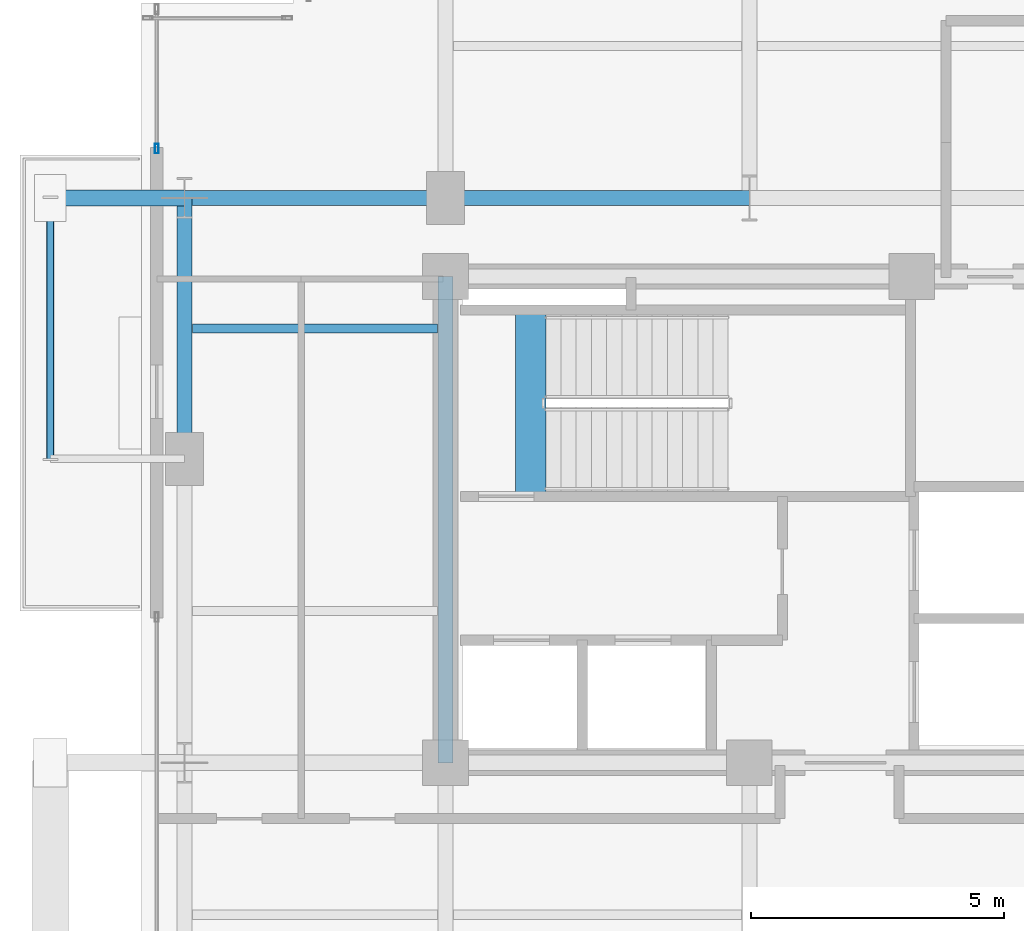
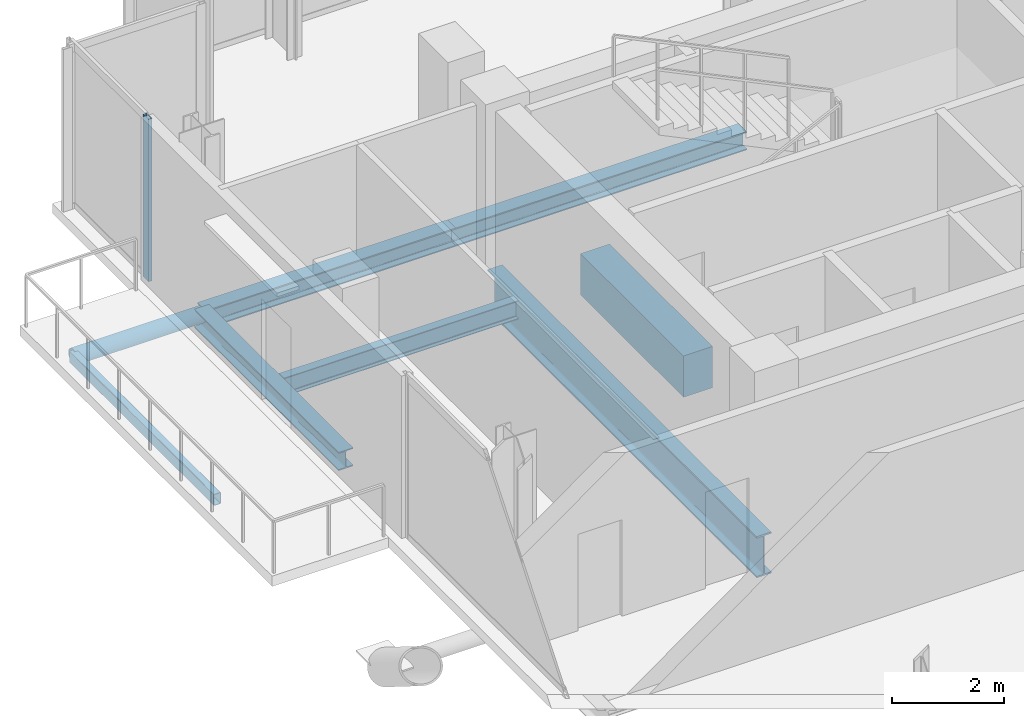
# One storey, part 8 of 25: 7 beams, 2 members, 1 element without a shape of its own.
"""IFC4 building model written with IfcOpenShell, lengths in metres."""

from ifc_helpers import new_model, si_unit, direction, frame, origin, origin_2d, place, context, subcontext, project, spatial, rectangle, hollow_rectangle, hollow_circle, i_section, extrude, material, layer, layer_set, material_profile, profile_set, type_object, element, aggregate, save


model = new_model("IFC4")

# Units and contexts
model_context = context("Model", 3, precision=1e-05, world=origin(), true_north=direction((0.0, 1.0)))
body_context = subcontext(model_context, "Body", "Model", "MODEL_VIEW")
ifc_project = project(units=[si_unit("LENGTHUNIT", "METRE"), si_unit("AREAUNIT", "SQUARE_METRE"), si_unit("VOLUMEUNIT", "CUBIC_METRE"), si_unit("PLANEANGLEUNIT", "RADIAN"), si_unit("MASSUNIT", "GRAM", prefix="KILO"), si_unit("THERMODYNAMICTEMPERATUREUNIT", "KELVIN"), si_unit("POWERUNIT", "WATT")], contexts=[model_context])

# Site, building, storey
site_placement = place(None, origin())
site = spatial("IfcSite", under=ifc_project, at=site_placement, CompositionType="ELEMENT")
building_placement = place(site_placement, origin())
building = spatial("IfcBuilding", under=site, at=building_placement, Name="Svarakhadi Broadcast Tower", CompositionType="ELEMENT")
storey_placement = place(building_placement, frame((0.0, 0.0, 212.39990234375)))
storey = spatial("IfcBuildingStorey", under=building, at=storey_placement, Name="L52", CompositionType="ELEMENT", Elevation=212.39990234375)

# Beam
ifc_material_1 = material(Name="Steel S355J2 (IS 2062 E350C)", Category="steel")
ifc_material_profile_1 = material_profile(ifc_material_1, i_section(OverallWidth=0.179931640625, OverallDepth=0.39990234375, WebThickness=0.008544921875, FlangeThickness=0.013427734375, FilletRadius=0.02099609375, at=origin_2d()), Name="NPB 400x180x66")
ifc_profile_set_1 = profile_set([ifc_material_profile_1], Name="Steel S355J2 (IS 2062 E350C)")
beam_type_1 = type_object("IfcBeamType", Name="Beam_NPB400", PredefinedType="BEAM", material=ifc_profile_set_1)
beam_1_placement = place(storey_placement, frame((1.010009765625, 26.574951171875, -0.409912109375), z_axis=(1.0, 0.0, 0.0), x_axis=(0.0, 1.0, 0.0)))
element("IfcBeam", 1, at=beam_1_placement, inside=storey, type_object=beam_type_1, Name="L52 Secondary Composite Beam SB004", PredefinedType="BEAM", context=body_context, shape_type="SweptSolid", body=[
    extrude(i_section(OverallWidth=0.179931640625, OverallDepth=0.39990234375, WebThickness=0.008544921875, FlangeThickness=0.013427734375, FilletRadius=0.02099609375, at=origin_2d()), origin(), (0.0, 0.0, 1.0), 4.830078125),
])

# Curtain wall, member
ifc_material_2 = material(Name="Anodised Bronze Aluminium AA 6063-T6", Category="aluminium")
ifc_layer = layer(ifc_material_2, 0.18994140625)
ifc_layer_set = layer_set([ifc_layer], Name="Anodised Bronze Aluminium AA 6063-T6")
curtain_wall_type = type_object("IfcCurtainWallType", Name="CW_Sys_04", PredefinedType="NOTDEFINED", material=ifc_layer_set)
curtain_wall_placement = place(storey_placement, origin())
curtain_wall = element("IfcCurtainWall", 2, at=curtain_wall_placement, inside=storey, type_object=curtain_wall_type, Name="L52 West Curtain Wall 03", PredefinedType="NOTDEFINED")
ifc_material_profile_2 = material_profile(ifc_material_2, hollow_rectangle(XDim=0.070068359375, YDim=0.18994140625, WallThickness=0.005615234375, at=origin_2d()), Name="ALU MULLION 190x70x6")
ifc_profile_set_2 = profile_set([ifc_material_profile_2], Name="Anodised Bronze Aluminium AA 6063-T6")
member_type_1 = type_object("IfcMemberType", Name="CW_Sys_04_Mul", PredefinedType="MULLION", material=ifc_profile_set_2)
member_1_placement = place(storey_placement, frame((0.300048828125, 30.125, 0.0), z_axis=(0.0, 0.0, 1.0), x_axis=(-1.0, 0.0, 0.0)))
member_1 = element("IfcMember", 3, at=member_1_placement, type_object=member_type_1, Name="CW-04 mullion 1", PredefinedType="MULLION", context=body_context, shape_type="SweptSolid", body=[
    extrude(hollow_rectangle(XDim=0.070068359375, YDim=0.18994140625, WallThickness=0.005615234375, at=origin_2d()), origin(), (0.0, 0.0, 1.0), 3.5400390625),
])
aggregate(curtain_wall, [member_1])

# Beam
ifc_material_3 = material(Name="Concrete C50/60 (IS 456 M60)", Category="concrete")
ifc_material_profile_3 = material_profile(ifc_material_3, rectangle(XDim=0.60009765625, YDim=0.89990234375, at=origin_2d()), Name="RC 600x900")
ifc_profile_set_3 = profile_set([ifc_material_profile_3], Name="Concrete C50/60 (IS 456 M60)")
beam_type_2 = type_object("IfcBeamType", Name="Coupling_RC600", PredefinedType="USERDEFINED", material=ifc_profile_set_3)
beam_2_placement = place(storey_placement, frame((7.679931640625, 23.260009765625, -0.449951171875), z_axis=(0.0, 1.0, 0.0), x_axis=(-1.0, 0.0, 0.0)))
element("IfcBeam", 4, at=beam_2_placement, inside=storey, type_object=beam_type_2, Name="L52 Stair ST-01 Landing Throat Trimmer Beam CB-01", ObjectType="GIRDER", PredefinedType="USERDEFINED", context=body_context, shape_type="SweptSolid", body=[
    extrude(rectangle(XDim=0.60009765625, YDim=0.89990234375, at=origin_2d()), origin(), (0.0, 0.0, 1.0), 3.679931640625),
])

# Member
ifc_material_4 = material(Name="Steel S460ML (IS 2062 E450BR)", Category="steel")
ifc_material_profile_4 = material_profile(ifc_material_4, hollow_circle(Radius=0.161865234375, WallThickness=0.01611328125, at=origin_2d()), Name="CHS 323.9x16")
ifc_profile_set_4 = profile_set([ifc_material_profile_4], Name="Steel S460ML (IS 2062 E450BR)")
member_type_2 = type_object("IfcMemberType", Name="Exo_Radial_Strut_Z2", PredefinedType="STRUT", material=ifc_profile_set_4)
member_2_placement = place(storey_placement, frame((-1.800048828125, 29.14990234375, -0.371826171875), z_axis=(1.0, 0.0, 0.0), x_axis=(0.0, 1.0, 0.0)))
element("IfcMember", 5, at=member_2_placement, inside=storey, type_object=member_type_2, Name="L52 Exoskeleton Radial Tie Strut W06", PredefinedType="STRUT", context=body_context, shape_type="SweptSolid", body=[
    extrude(hollow_circle(Radius=0.161865234375, WallThickness=0.01611328125, at=origin_2d()), origin(), (0.0, 0.0, 1.0), 2.650146484375),
])

# Beams
ifc_material_profile_5 = material_profile(ifc_material_1, i_section(OverallWidth=0.300048828125, OverallDepth=0.39990234375, WebThickness=0.013427734375, FlangeThickness=0.02392578125, FilletRadius=0.027099609375, at=origin_2d()), Name="WPB 400x300x155")
ifc_profile_set_5 = profile_set([ifc_material_profile_5], Name="Steel S355J2 (IS 2062 E350C)")
beam_type_3 = type_object("IfcBeamType", Name="Girder_WPB400", PredefinedType="USERDEFINED", material=ifc_profile_set_5)
beam_3_placement = place(storey_placement, frame((0.85009765625, 29.14990234375, -0.409912109375), z_axis=(1.0, 0.0, 0.0), x_axis=(0.0, 1.0, 0.0)))
element("IfcBeam", 6, at=beam_3_placement, inside=storey, type_object=beam_type_3, Name="L52 Primary E-W Girder G028", ObjectType="GIRDER", PredefinedType="USERDEFINED", context=body_context, shape_type="SweptSolid", body=[
    extrude(i_section(OverallWidth=0.300048828125, OverallDepth=0.39990234375, WebThickness=0.013427734375, FlangeThickness=0.02392578125, FilletRadius=0.027099609375, at=origin_2d()), origin(), (0.0, 0.0, 1.0), 5.14990234375),
])
beam_4_placement = place(storey_placement, frame((6.0, 29.14990234375, -0.409912109375), z_axis=(1.0, 0.0, 0.0), x_axis=(0.0, 1.0, 0.0)))
element("IfcBeam", 7, at=beam_4_placement, inside=storey, type_object=beam_type_3, Name="L52 Primary E-W Girder G029", ObjectType="GIRDER", PredefinedType="USERDEFINED", context=body_context, shape_type="SweptSolid", body=[
    extrude(i_section(OverallWidth=0.300048828125, OverallDepth=0.39990234375, WebThickness=0.013427734375, FlangeThickness=0.02392578125, FilletRadius=0.027099609375, at=origin_2d()), origin(), (0.0, 0.0, 1.0), 6.0),
])
beam_5_placement = place(storey_placement, frame((0.85009765625, 24.0, -0.409912109375), z_axis=(0.0, 1.0, 0.0), x_axis=(-1.0, 0.0, 0.0)))
element("IfcBeam", 8, at=beam_5_placement, inside=storey, type_object=beam_type_3, Name="L52 Primary N-S Girder G036", ObjectType="GIRDER", PredefinedType="USERDEFINED", context=body_context, shape_type="SweptSolid", body=[
    extrude(i_section(OverallWidth=0.300048828125, OverallDepth=0.39990234375, WebThickness=0.013427734375, FlangeThickness=0.02392578125, FilletRadius=0.027099609375, at=origin_2d()), origin(), (0.0, 0.0, 1.0), 5.14990234375),
])
ifc_material_profile_6 = material_profile(ifc_material_4, i_section(OverallWidth=0.300048828125, OverallDepth=0.89990234375, WebThickness=0.0185546875, FlangeThickness=0.034912109375, FilletRadius=0.030029296875, at=origin_2d()), Name="WPB 900x300x291")
ifc_profile_set_6 = profile_set([ifc_material_profile_6], Name="Steel S460ML (IS 2062 E450BR)")
beam_type_4 = type_object("IfcBeamType", Name="Girder_WPB900", PredefinedType="USERDEFINED", material=ifc_profile_set_6)
beam_6_placement = place(storey_placement, frame((6.0, 18.0, -0.659912109375), z_axis=(0.0, 1.0, 0.0), x_axis=(-1.0, 0.0, 0.0)))
element("IfcBeam", 9, at=beam_6_placement, inside=storey, type_object=beam_type_4, Name="L52 Primary N-S Girder G040", ObjectType="GIRDER", PredefinedType="USERDEFINED", context=body_context, shape_type="SweptSolid", body=[
    extrude(i_section(OverallWidth=0.300048828125, OverallDepth=0.89990234375, WebThickness=0.0185546875, FlangeThickness=0.034912109375, FilletRadius=0.030029296875, at=origin_2d()), origin(), (0.0, 0.0, 1.0), 9.60009765625),
])
ifc_material_profile_7 = material_profile(ifc_material_4, hollow_rectangle(XDim=0.14990234375, YDim=0.25, WallThickness=0.010009765625, InnerFilletRadius=0.010009765625, OuterFilletRadius=0.02001953125, at=origin_2d()), Name="RHS 250x150x10")
ifc_profile_set_7 = profile_set([ifc_material_profile_7], Name="Steel S460ML (IS 2062 E450BR)")
beam_type_5 = type_object("IfcBeamType", Name="Spandrel_RHS250", PredefinedType="SPANDREL", material=ifc_profile_set_7)
beam_7_placement = place(storey_placement, frame((-1.800048828125, 24.0, -0.349853515625), z_axis=(0.0, 1.0, 0.0), x_axis=(-1.0, 0.0, 0.0)))
element("IfcBeam", 10, at=beam_7_placement, inside=storey, type_object=beam_type_5, Name="L52 Balcony Outer Spandrel 2F", PredefinedType="SPANDREL", context=body_context, shape_type="SweptSolid", body=[
    extrude(hollow_rectangle(XDim=0.14990234375, YDim=0.25, WallThickness=0.010009765625, InnerFilletRadius=0.010009765625, OuterFilletRadius=0.02001953125, at=origin_2d()), origin(), (0.0, 0.0, 1.0), 5.14990234375),
])

save(model, "model.ifc")
